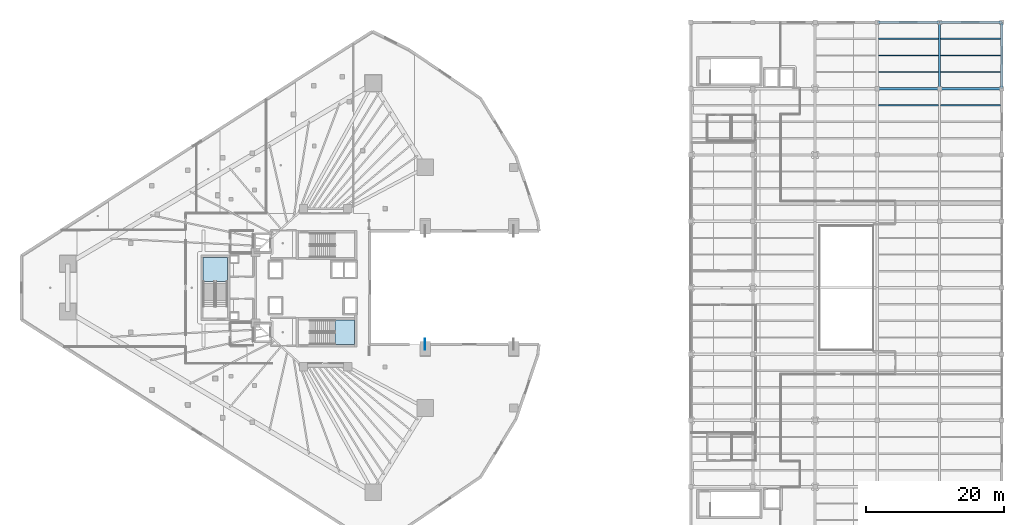
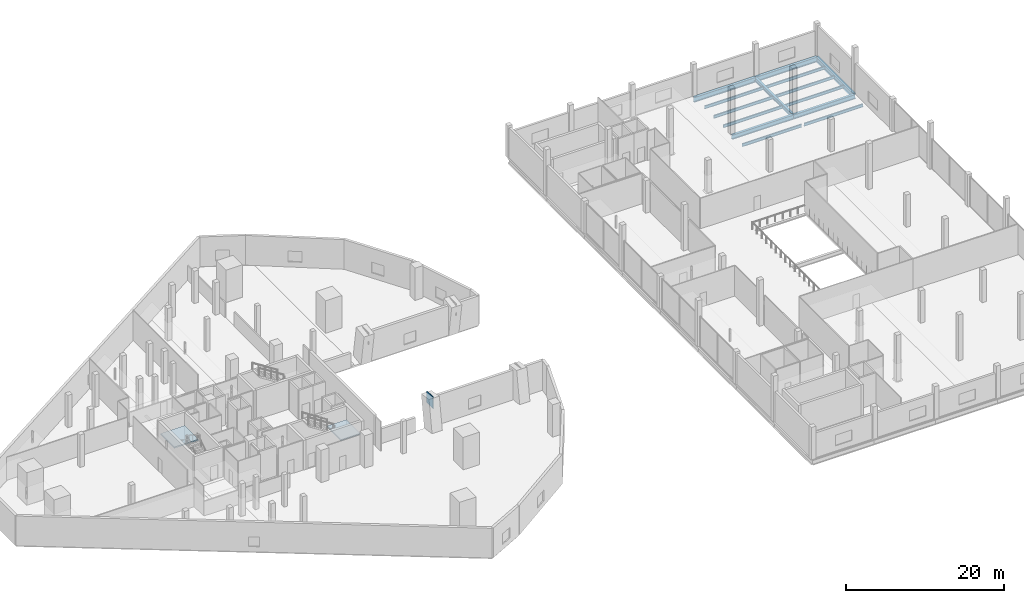
# One storey, part 25 of 43: 14 beams, 2 slabs, 1 plate, 2 elements without a shape of their own.
"""IFC4 building model written with IfcOpenShell, lengths in metres."""

import ifcopenshell
import ifcopenshell.guid

model = None  # the IFC model being written
_history = None  # IfcOwnerHistory: only IFC2X3 demands one
_inside = {}  # id of a spatial element -> (the spatial element, [elements in it])
_under = {}  # id of a project, library or spatial element -> (it, [spatial elements below it])
_declared = {}  # id of a project -> (the project, [libraries it declares])
_typed = {}  # id of a type object -> (the type object, [elements of that type])
_made_of = {}  # id of a material, layer set ... -> (it, [elements and type objects made of it])


def new_model(schema):
    """Start an empty IFC model of exactly this schema.

    Asked for "IFC4X3", IfcOpenShell would pick the latest addendum, in which some entities
    have other attributes; the version numbers below select the first issue.
    IFC2X3 requires an IfcOwnerHistory on every rooted entity: one is made here for all.
    """
    global model, _history
    if schema == "IFC4X3":
        model = ifcopenshell.file(schema_version=(4, 3, 0, 0))
    else:
        model = ifcopenshell.file(schema=schema)
    _inside.clear()
    _under.clear()
    _declared.clear()
    _typed.clear()
    _made_of.clear()
    _history = None
    if model.schema == "IFC2X3":
        org = make("IfcOrganization", Name="unknown")
        user = make(
            "IfcPersonAndOrganization",
            ThePerson=make("IfcPerson", FamilyName="unknown"),
            TheOrganization=org,
        )
        app = make(
            "IfcApplication",
            ApplicationDeveloper=org,
            Version="unknown",
            ApplicationFullName="unknown",
            ApplicationIdentifier="unknown",
        )
        _history = make(
            "IfcOwnerHistory",
            OwningUser=user,
            OwningApplication=app,
            ChangeAction="ADDED",
            CreationDate=0,
        )
    return model


def make(cls, **values):
    """One entity of the class cls with the attributes given. An attribute that is None is left unset."""
    return model.create_entity(
        cls, **{name: value for name, value in values.items() if value is not None}
    )


def rooted(cls, **values):
    """An entity with a GlobalId (a new one), such as an element, a storey or a relation."""
    return make(cls, GlobalId=ifcopenshell.guid.new(), OwnerHistory=_history, **values)


def si_unit(unit_type, name, prefix=None):
    """IfcSIUnit, for example si_unit("LENGTHUNIT", "METRE", prefix="MILLI")."""
    return make("IfcSIUnit", UnitType=unit_type, Prefix=prefix, Name=name)


def assignment(units):
    """IfcUnitAssignment: the units of a project."""
    return None if units is None else make("IfcUnitAssignment", Units=units)


def point(xyz):
    """IfcCartesianPoint."""
    return None if xyz is None else make("IfcCartesianPoint", Coordinates=xyz)


def direction(xyz):
    """IfcDirection."""
    return None if xyz is None else make("IfcDirection", DirectionRatios=xyz)


def frame(location, z_axis=None, x_axis=None):
    """IfcAxis2Placement3D, a coordinate frame: its origin and axes. An axis left out is left unset."""
    return make(
        "IfcAxis2Placement3D",
        Location=point(location),
        Axis=direction(z_axis),
        RefDirection=direction(x_axis),
    )


def frame_2d(location, x_axis=None):
    """IfcAxis2Placement2D, a coordinate frame in the plane: its origin and x axis."""
    return make(
        "IfcAxis2Placement2D", Location=point(location), RefDirection=direction(x_axis)
    )


def origin():
    """The frame at (0, 0, 0) with its axes left unset."""
    return frame((0.0, 0.0, 0.0))


def origin_2d():
    """The frame at (0, 0) in the plane with its x axis left unset."""
    return frame_2d((0.0, 0.0))


def place(relative_to, where):
    """IfcLocalPlacement: puts the frame where relative to a parent placement (None: the world)."""
    return make(
        "IfcLocalPlacement", PlacementRelTo=relative_to, RelativePlacement=where
    )


def context(
    kind, dimensions, precision=None, world=None, true_north=None, identifier=None
):
    """IfcGeometricRepresentationContext, for example the 3D "Model" context."""
    return make(
        "IfcGeometricRepresentationContext",
        ContextIdentifier=identifier,
        ContextType=kind,
        CoordinateSpaceDimension=dimensions,
        Precision=precision,
        WorldCoordinateSystem=world,
        TrueNorth=true_north,
    )


def subcontext(parent, identifier, kind, view, scale=None):
    """IfcGeometricRepresentationSubContext, for example "Body" below "Model"."""
    return make(
        "IfcGeometricRepresentationSubContext",
        ContextIdentifier=identifier,
        ContextType=kind,
        ParentContext=parent,
        TargetScale=scale,
        TargetView=view,
    )


def project(units=None, contexts=None):
    """IfcProject with its units and contexts."""
    return rooted(
        "IfcProject",
        Name="project",
        RepresentationContexts=contexts,
        UnitsInContext=assignment(units),
    )


def spatial(cls, under=None, at=None, **own):
    """A site, building, storey or space (cls), placed at a placement, below another one or the project."""
    s = rooted(cls, ObjectPlacement=at, **own)
    if under is not None:
        _under.setdefault(under.id(), (under, []))[1].append(s)
    return s


def polyline(points):
    """IfcPolyline through the points."""
    return make("IfcPolyline", Points=[point(p) for p in points])


def profile(cls, at=None, kind="AREA", **sizes):
    """A parametric profile (cls). Its sizes go by their IFC names, for example OverallWidth=200.0."""
    return make(cls, ProfileType=kind, Position=at, **sizes)


def rectangle(**sizes):
    """IfcRectangleProfileDef."""
    return profile("IfcRectangleProfileDef", **sizes)


def i_section(**sizes):
    """IfcIShapeProfileDef."""
    return profile("IfcIShapeProfileDef", **sizes)


def outline(outer, holes=None, kind="AREA"):
    """IfcArbitraryClosedProfileDef: a profile drawn as a closed curve; with holes, ...WithVoids."""
    if holes is None:
        return make("IfcArbitraryClosedProfileDef", ProfileType=kind, OuterCurve=outer)
    return make(
        "IfcArbitraryProfileDefWithVoids",
        ProfileType=kind,
        OuterCurve=outer,
        InnerCurves=holes,
    )


def extrude(swept, where, along, depth):
    """IfcExtrudedAreaSolid: the profile swept, set in the frame where, extruded along a direction by depth."""
    return make(
        "IfcExtrudedAreaSolid",
        SweptArea=swept,
        Position=where,
        ExtrudedDirection=direction(along),
        Depth=depth,
    )


def shape(context_of_items, identifier, shape_type, items):
    """IfcShapeRepresentation: the items that make up one representation, for example the "Body"."""
    return make(
        "IfcShapeRepresentation",
        ContextOfItems=context_of_items,
        RepresentationIdentifier=identifier,
        RepresentationType=shape_type,
        Items=items,
    )


def material(Name=None, Category=None):
    """IfcMaterial."""
    return make("IfcMaterial", Name=Name, Category=Category)


def layer(
    of_material, thickness, ventilated=None, Name=None, Category=None, Priority=None
):
    """IfcMaterialLayer: one layer of a wall or slab, of a material (None: an air gap)."""
    return make(
        "IfcMaterialLayer",
        Material=of_material,
        LayerThickness=thickness,
        IsVentilated=ventilated,
        Name=Name,
        Category=Category,
        Priority=Priority,
    )


def layer_set(layers, Name=None):
    """IfcMaterialLayerSet."""
    return make("IfcMaterialLayerSet", MaterialLayers=layers, LayerSetName=Name)


def material_profile(
    of_material, cross_section, Name=None, Category=None, Priority=None
):
    """IfcMaterialProfile: a cross section and its material."""
    return make(
        "IfcMaterialProfile",
        Name=Name,
        Material=of_material,
        Profile=cross_section,
        Priority=Priority,
        Category=Category,
    )


def profile_set(profiles, Name=None, composite=None):
    """IfcMaterialProfileSet."""
    return make(
        "IfcMaterialProfileSet",
        Name=Name,
        MaterialProfiles=profiles,
        CompositeProfile=composite,
    )


def made_of(thing, what):
    """Note that an element or type object is made of a material, layer set ...; save() writes the relation."""
    if what is not None:
        _made_of.setdefault(what.id(), (what, []))[1].append(thing)
    return thing


def type_object(cls, material=None, **own):
    """A type object (cls), such as IfcWallType, which elements share."""
    return made_of(rooted(cls, **own), material)


def element(
    cls,
    number,
    at=None,
    inside=None,
    cuts=None,
    type_object=None,
    material=None,
    context=None,
    identifier="Body",
    shape_type=None,
    held_by="IfcProductDefinitionShape",
    body=None,
    shapes=None,
    **own,
):
    """One element of the class cls, such as IfcWall. Its Tag is "e" and its number.

    at: its placement. inside: the storey or other place that contains it. cuts: it is an
    opening in that element (IfcRelVoidsElement). A single representation is given by context,
    identifier, shape_type and body (its items); several are given by shapes. held_by: the class
    of the entity that holds the representations. save() writes the other relations.
    """
    e = rooted(cls, Tag="e%d" % number, ObjectPlacement=at, **own)
    if body is not None:
        shapes = [shape(context, identifier, shape_type, body)]
    if shapes is not None:
        e.Representation = make(held_by, Representations=shapes)
    if inside is not None:
        _inside.setdefault(inside.id(), (inside, []))[1].append(e)
    if cuts is not None:
        rooted(
            "IfcRelVoidsElement", RelatingBuildingElement=cuts, RelatedOpeningElement=e
        )
    if type_object is not None:
        _typed.setdefault(type_object.id(), (type_object, []))[1].append(e)
    return made_of(e, material)


def aggregate(whole, parts):
    """IfcRelAggregates: a whole, such as a stair, and the parts it consists of."""
    return rooted("IfcRelAggregates", RelatingObject=whole, RelatedObjects=parts)


def save(model, path):
    """Write the relations noted so far, then the file.

    IfcRelAggregates (storeys below a building ...), IfcRelContainedInSpatialStructure (elements
    in a storey), IfcRelDefinesByType, IfcRelAssociatesMaterial and IfcRelDeclares: one each for
    every whole, place, type object, material and project.
    """
    for whole, parts in _under.values():
        aggregate(whole, parts)
    for where, things in _inside.values():
        rooted(
            "IfcRelContainedInSpatialStructure",
            RelatedElements=things,
            RelatingStructure=where,
        )
    for kind, things in _typed.values():
        rooted("IfcRelDefinesByType", RelatedObjects=things, RelatingType=kind)
    for what, things in _made_of.values():
        rooted("IfcRelAssociatesMaterial", RelatedObjects=things, RelatingMaterial=what)
    for by, libraries in _declared.values():
        rooted("IfcRelDeclares", RelatingContext=by, RelatedDefinitions=libraries)
    model.write(path)


model = new_model("IFC4")

# Units and contexts
model_context = context("Model", 3, precision=1e-05, world=origin(), true_north=direction((0.0, 1.0)))
body_context = subcontext(model_context, "Body", "Model", "MODEL_VIEW")
ifc_project = project(units=[si_unit("LENGTHUNIT", "METRE"), si_unit("AREAUNIT", "SQUARE_METRE"), si_unit("VOLUMEUNIT", "CUBIC_METRE"), si_unit("PLANEANGLEUNIT", "RADIAN"), si_unit("MASSUNIT", "GRAM", prefix="KILO")], contexts=[model_context])

# Site, building, storey
site_placement = place(None, origin())
site = spatial("IfcSite", under=ifc_project, at=site_placement, CompositionType="ELEMENT")
building_placement = place(site_placement, origin())
building = spatial("IfcBuilding", under=site, at=building_placement, Name="Qorvath Tower", CompositionType="ELEMENT")
storey_placement = place(building_placement, frame((0.0, 0.0, 22.0)))
storey = spatial("IfcBuildingStorey", under=building, at=storey_placement, Name="L04", CompositionType="ELEMENT", Elevation=22.0)

# Beams
ifc_material_1 = material(Name="Steel ASTM A992 Grade 50", Category="steel")
ifc_material_profile_1 = material_profile(ifc_material_1, i_section(OverallWidth=0.381103515625, OverallDepth=0.77294921875, WebThickness=0.0166015625, FlangeThickness=0.027099609375, FilletRadius=0.01904296875, at=origin_2d()), Name="W30x173")
ifc_profile_set_1 = profile_set([ifc_material_profile_1], Name="Steel ASTM A992 Grade 50")
beam_type_1 = type_object("IfcBeamType", Name="BM-FG3", PredefinedType="BEAM", material=ifc_profile_set_1)
for number, where, z_axis, x_axis, name in (
    (1, (59.39990234375, 38.39990234375, -0.646484375), (1.0, 0.0, 0.0), (0.0, 1.0, 0.0), "Library E-W Girder L04-9-4"),
    (2, (68.39990234375, 38.39990234375, -0.646484375), (1.0, 0.0, 0.0), (0.0, 1.0, 0.0), "Library E-W Girder L04-9-5"),
):
    element("IfcBeam", number, at=place(storey_placement, frame(where, z_axis=z_axis, x_axis=x_axis)), inside=storey, type_object=beam_type_1, Name=name, PredefinedType="BEAM", context=body_context, shape_type="SweptSolid", body=[
        extrude(i_section(OverallWidth=0.381103515625, OverallDepth=0.77294921875, WebThickness=0.0166015625, FlangeThickness=0.027099609375, FilletRadius=0.01904296875, at=origin_2d()), origin(), (0.0, 0.0, 1.0), 9.0),
    ])
beam_1_placement = place(storey_placement, frame((77.39990234375, 28.800048828125, -0.646484375), z_axis=(0.0, 1.0, 0.0), x_axis=(-1.0, 0.0, 0.0)))
element("IfcBeam", 3, at=beam_1_placement, inside=storey, type_object=beam_type_1, Name="Library N-S Girder L04-6-8", PredefinedType="BEAM", context=body_context, shape_type="SweptSolid", body=[
    extrude(i_section(OverallWidth=0.381103515625, OverallDepth=0.77294921875, WebThickness=0.0166015625, FlangeThickness=0.027099609375, FilletRadius=0.01904296875, at=origin_2d()), origin(), (0.0, 0.0, 1.0), 9.599853515625),
])
ifc_material_2 = material(Name="Steel ASTM A992 Grade 50", Category="steel")
ifc_material_profile_2 = material_profile(ifc_material_2, i_section(OverallWidth=0.35595703125, OverallDepth=0.696044921875, WebThickness=0.015380859375, FlangeThickness=0.02490234375, FilletRadius=0.01806640625, at=origin_2d()), Name="W27x146")
ifc_profile_set_2 = profile_set([ifc_material_profile_2], Name="Steel ASTM A992 Grade 50")
beam_type_2 = type_object("IfcBeamType", Name="BM-FG4", PredefinedType="BEAM", material=ifc_profile_set_2)
for number, where, z_axis, x_axis, name in (
    (4, (59.39990234375, 28.800048828125, -0.60791015625), (1.0, 0.0, 0.0), (0.0, 1.0, 0.0), "Library E-W Girder L04-8-4"),
    (5, (68.39990234375, 28.800048828125, -0.60791015625), (1.0, 0.0, 0.0), (0.0, 1.0, 0.0), "Library E-W Girder L04-8-5"),
):
    element("IfcBeam", number, at=place(storey_placement, frame(where, z_axis=z_axis, x_axis=x_axis)), inside=storey, type_object=beam_type_2, Name=name, PredefinedType="BEAM", context=body_context, shape_type="SweptSolid", body=[
        extrude(i_section(OverallWidth=0.35595703125, OverallDepth=0.696044921875, WebThickness=0.015380859375, FlangeThickness=0.02490234375, FilletRadius=0.01806640625, at=origin_2d()), origin(), (0.0, 0.0, 1.0), 9.0),
    ])
ifc_material_3 = material(Name="Steel ASTM A992 Grade 50", Category="steel")
ifc_material_profile_3 = material_profile(ifc_material_3, i_section(OverallWidth=0.324951171875, OverallDepth=0.615966796875, WebThickness=0.013916015625, FlangeThickness=0.021484375, FilletRadius=0.01611328125, at=origin_2d()), Name="W24x117")
ifc_profile_set_3 = profile_set([ifc_material_profile_3], Name="Steel ASTM A992 Grade 50")
beam_type_3 = type_object("IfcBeamType", Name="BM-FG5", PredefinedType="BEAM", material=ifc_profile_set_3)
beam_2_placement = place(storey_placement, frame((68.39990234375, 28.800048828125, -0.568115234375), z_axis=(0.0, 1.0, 0.0), x_axis=(-1.0, 0.0, 0.0)))
element("IfcBeam", 6, at=beam_2_placement, inside=storey, type_object=beam_type_3, Name="Library N-S Girder L04-5-8", PredefinedType="BEAM", context=body_context, shape_type="SweptSolid", body=[
    extrude(i_section(OverallWidth=0.324951171875, OverallDepth=0.615966796875, WebThickness=0.013916015625, FlangeThickness=0.021484375, FilletRadius=0.01611328125, at=origin_2d()), origin(), (0.0, 0.0, 1.0), 9.599853515625),
])
ifc_material_4 = material(Name="Steel ASTM A992 Grade 50", Category="steel")
ifc_material_profile_4 = material_profile(ifc_material_4, i_section(OverallWidth=0.18994140625, OverallDepth=0.45703125, WebThickness=0.009033203125, FlangeThickness=0.014404296875, FilletRadius=0.011962890625, at=origin_2d()), Name="W18x50")
ifc_profile_set_4 = profile_set([ifc_material_profile_4], Name="Steel ASTM A992 Grade 50")
beam_type_4 = type_object("IfcBeamType", Name="BM-FJ2", PredefinedType="JOIST", material=ifc_profile_set_4)
beam_3_placement = place(storey_placement, frame((59.560546875, 26.39990234375, -0.488525390625), z_axis=(1.0, 0.0, 0.0), x_axis=(0.0, 1.0, 0.0)))
element("IfcBeam", 7, at=beam_3_placement, inside=storey, type_object=beam_type_4, Name="Library Stack Joist L04-7.3-4", PredefinedType="JOIST", context=body_context, shape_type="SweptSolid", body=[
    extrude(i_section(OverallWidth=0.18994140625, OverallDepth=0.45703125, WebThickness=0.009033203125, FlangeThickness=0.014404296875, FilletRadius=0.011962890625, at=origin_2d()), origin(), (0.0, 0.0, 1.0), 8.678955078125),
])
beam_4_placement = place(storey_placement, frame((68.560546875, 26.39990234375, -0.488525390625), z_axis=(1.0, 0.0, 0.0), x_axis=(0.0, 1.0, 0.0)))
element("IfcBeam", 8, at=beam_4_placement, inside=storey, type_object=beam_type_4, Name="Library Stack Joist L04-7.3-5", PredefinedType="JOIST", context=body_context, shape_type="SweptSolid", body=[
    extrude(i_section(OverallWidth=0.18994140625, OverallDepth=0.45703125, WebThickness=0.009033203125, FlangeThickness=0.014404296875, FilletRadius=0.011962890625, at=origin_2d()), origin(), (0.0, 0.0, 1.0), 8.65087890625),
])
beam_5_placement = place(storey_placement, frame((59.560546875, 31.199951171875, -0.488525390625), z_axis=(1.0, 0.0, 0.0), x_axis=(0.0, 1.0, 0.0)))
element("IfcBeam", 9, at=beam_5_placement, inside=storey, type_object=beam_type_4, Name="Library Stack Joist L04-8.1-4", PredefinedType="JOIST", context=body_context, shape_type="SweptSolid", body=[
    extrude(i_section(OverallWidth=0.18994140625, OverallDepth=0.45703125, WebThickness=0.009033203125, FlangeThickness=0.014404296875, FilletRadius=0.011962890625, at=origin_2d()), origin(), (0.0, 0.0, 1.0), 8.678955078125),
])
beam_6_placement = place(storey_placement, frame((68.560546875, 31.199951171875, -0.488525390625), z_axis=(1.0, 0.0, 0.0), x_axis=(0.0, 1.0, 0.0)))
element("IfcBeam", 10, at=beam_6_placement, inside=storey, type_object=beam_type_4, Name="Library Stack Joist L04-8.1-5", PredefinedType="JOIST", context=body_context, shape_type="SweptSolid", body=[
    extrude(i_section(OverallWidth=0.18994140625, OverallDepth=0.45703125, WebThickness=0.009033203125, FlangeThickness=0.014404296875, FilletRadius=0.011962890625, at=origin_2d()), origin(), (0.0, 0.0, 1.0), 8.65087890625),
])
beam_7_placement = place(storey_placement, frame((59.560546875, 33.60009765625, -0.488525390625), z_axis=(1.0, 0.0, 0.0), x_axis=(0.0, 1.0, 0.0)))
element("IfcBeam", 11, at=beam_7_placement, inside=storey, type_object=beam_type_4, Name="Library Stack Joist L04-8.2-4", PredefinedType="JOIST", context=body_context, shape_type="SweptSolid", body=[
    extrude(i_section(OverallWidth=0.18994140625, OverallDepth=0.45703125, WebThickness=0.009033203125, FlangeThickness=0.014404296875, FilletRadius=0.011962890625, at=origin_2d()), origin(), (0.0, 0.0, 1.0), 8.678955078125),
])
beam_8_placement = place(storey_placement, frame((68.560546875, 33.60009765625, -0.488525390625), z_axis=(1.0, 0.0, 0.0), x_axis=(0.0, 1.0, 0.0)))
element("IfcBeam", 12, at=beam_8_placement, inside=storey, type_object=beam_type_4, Name="Library Stack Joist L04-8.2-5", PredefinedType="JOIST", context=body_context, shape_type="SweptSolid", body=[
    extrude(i_section(OverallWidth=0.18994140625, OverallDepth=0.45703125, WebThickness=0.009033203125, FlangeThickness=0.014404296875, FilletRadius=0.011962890625, at=origin_2d()), origin(), (0.0, 0.0, 1.0), 8.65087890625),
])
beam_9_placement = place(storey_placement, frame((59.560546875, 36.0, -0.488525390625), z_axis=(1.0, 0.0, 0.0), x_axis=(0.0, 1.0, 0.0)))
element("IfcBeam", 13, at=beam_9_placement, inside=storey, type_object=beam_type_4, Name="Library Stack Joist L04-8.3-4", PredefinedType="JOIST", context=body_context, shape_type="SweptSolid", body=[
    extrude(i_section(OverallWidth=0.18994140625, OverallDepth=0.45703125, WebThickness=0.009033203125, FlangeThickness=0.014404296875, FilletRadius=0.011962890625, at=origin_2d()), origin(), (0.0, 0.0, 1.0), 8.678955078125),
])
beam_10_placement = place(storey_placement, frame((68.560546875, 36.0, -0.488525390625), z_axis=(1.0, 0.0, 0.0), x_axis=(0.0, 1.0, 0.0)))
element("IfcBeam", 14, at=beam_10_placement, inside=storey, type_object=beam_type_4, Name="Library Stack Joist L04-8.3-5", PredefinedType="JOIST", context=body_context, shape_type="SweptSolid", body=[
    extrude(i_section(OverallWidth=0.18994140625, OverallDepth=0.45703125, WebThickness=0.009033203125, FlangeThickness=0.014404296875, FilletRadius=0.011962890625, at=origin_2d()), origin(), (0.0, 0.0, 1.0), 8.65087890625),
])

# Plate
ifc_material_5 = material(Name="Steel ASTM A572 Grade 50", Category="steel")
ifc_layer_1 = layer(ifc_material_5, 0.080078125)
ifc_layer_set_1 = layer_set([ifc_layer_1], Name="PL-AN1")
plate_type = type_object("IfcPlateType", Name="PL-AN1", PredefinedType="USERDEFINED", material=ifc_layer_set_1)
plate_placement = place(storey_placement, frame((-6.0, -8.199951171875, 3.2001953125), z_axis=(0.0, 0.0, 1.0), x_axis=(0.0, 1.0, 0.0)))
element("IfcPlate", 15, at=plate_placement, inside=storey, type_object=plate_type, Name="Arch Haunch Node Gusset Plate ARCH-INNER-S-L04", ObjectType="GUSSET", PredefinedType="USERDEFINED", context=body_context, shape_type="SweptSolid", body=[
    extrude(rectangle(XDim=1.60009765625, YDim=0.080078125, at=origin_2d()), origin(), (0.0, 0.0, 1.0), 1.800048828125),
])

# Stair, slab
ifc_material_6 = material(Name="Concrete C50/60", Category="concrete")
stair_type = type_object("IfcStairType", Name="ST-H500", PredefinedType="HALF_TURN_STAIR", material=ifc_material_6)
stair_1_placement = place(storey_placement, origin())
stair_1 = element("IfcStair", 16, at=stair_1_placement, inside=storey, type_object=stair_type, Name="L04 Tower Exit Stair 2", PredefinedType="HALF_TURN_STAIR")
ifc_material_7 = material(Name="Concrete C50/60", Category="concrete")
ifc_layer_2 = layer(ifc_material_7, 0.199951171875)
ifc_layer_set_2 = layer_set([ifc_layer_2], Name="SL-LND-200")
slab_type = type_object("IfcSlabType", Name="SL-LND-200", PredefinedType="LANDING", material=ifc_layer_set_2)
slab_1_placement = place(storey_placement, frame((0.0, 0.0, 2.300048828125)))
slab_1 = element("IfcSlab", 17, at=slab_1_placement, type_object=slab_type, Name="TS2 landing 1", PredefinedType="LANDING", context=body_context, shape_type="SweptSolid", body=[
    extrude(outline(polyline([(-19.030029296875, -8.199951171875), (-16.199951171875, -8.199951171875), (-16.199951171875, -4.68994140625), (-19.030029296875, -4.68994140625), (-19.030029296875, -8.199951171875)])), origin(), (0.0, 0.0, 1.0), 0.199951171875),
])
aggregate(stair_1, [slab_1])

stair_2_placement = place(storey_placement, origin())
stair_2 = element("IfcStair", 18, at=stair_2_placement, inside=storey, type_object=stair_type, Name="L04 Tower Exit Stair 3", PredefinedType="HALF_TURN_STAIR")
slab_2_placement = place(storey_placement, frame((0.0, 0.0, 2.300048828125)))
slab_2 = element("IfcSlab", 19, at=slab_2_placement, type_object=slab_type, Name="TS3 landing 1", PredefinedType="LANDING", context=body_context, shape_type="SweptSolid", body=[
    extrude(outline(polyline([(-34.60009765625, 0.919921875), (-34.60009765625, 4.39990234375), (-38.110107421875, 4.39990234375), (-38.110107421875, 0.919921875), (-34.60009765625, 0.919921875)])), origin(), (0.0, 0.0, 1.0), 0.199951171875),
])
aggregate(stair_2, [slab_2])

save(model, "model.ifc")
